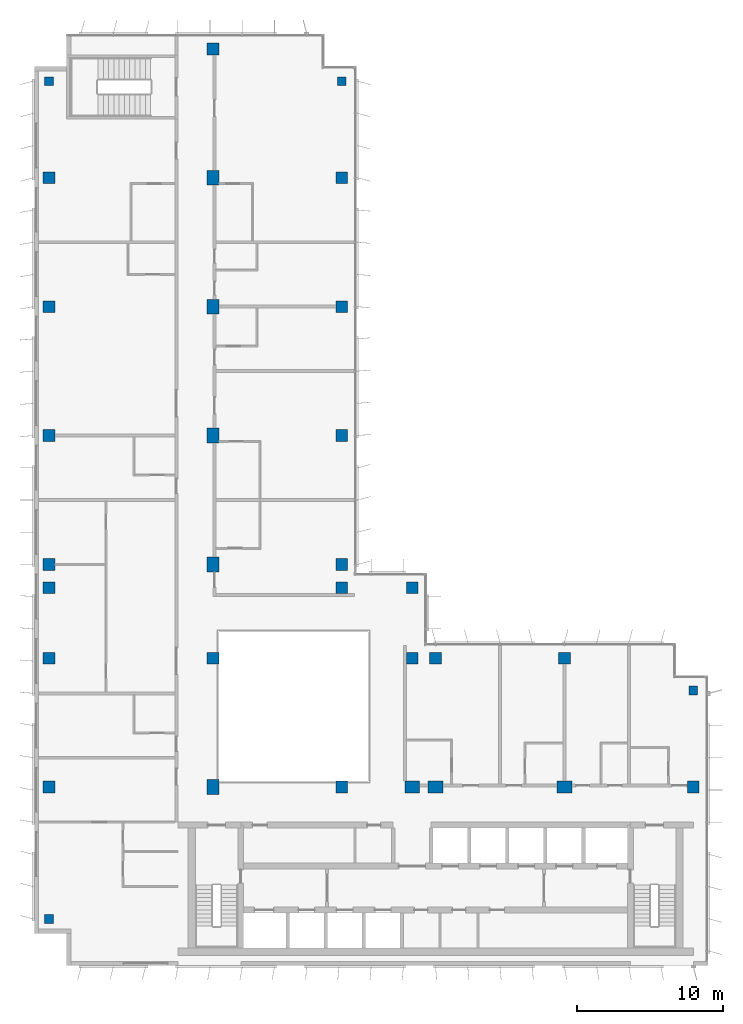
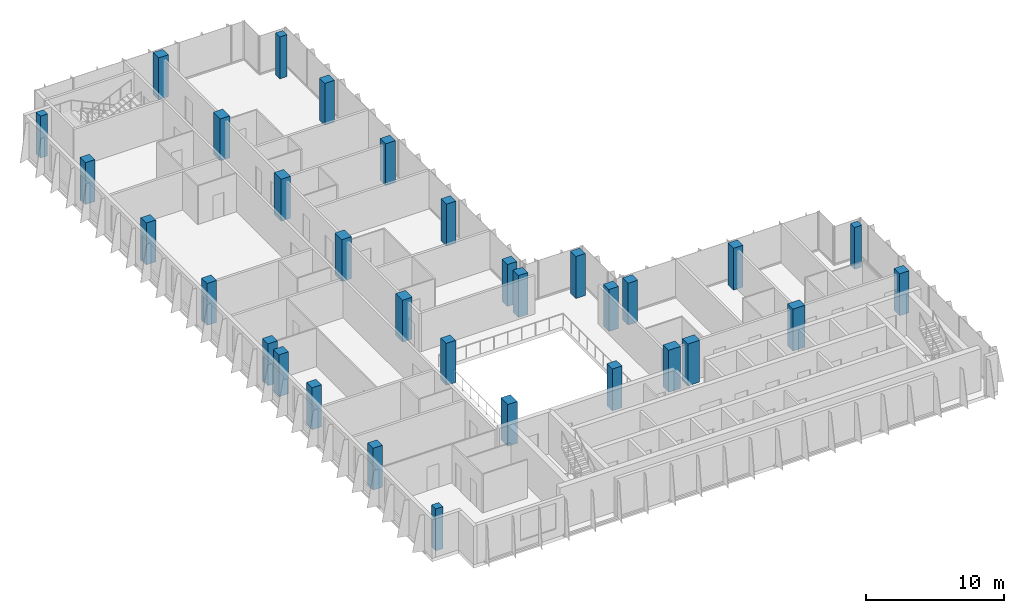
# One storey, part 1 of 15: 32 columns.
"""IFC4 building model written with IfcOpenShell, lengths in metres."""

from ifc_helpers import new_model, si_unit, direction, frame, origin, origin_2d, place, context, subcontext, project, spatial, rectangle, extrude, material, material_profile, profile_set, type_object, element, save


model = new_model("IFC4")

# Units and contexts
model_context = context("Model", 3, precision=1e-05, world=origin(), true_north=direction((0.0, 1.0)))
body_context = subcontext(model_context, "Body", "Model", "MODEL_VIEW")
ifc_project = project(units=[si_unit("LENGTHUNIT", "METRE"), si_unit("AREAUNIT", "SQUARE_METRE"), si_unit("VOLUMEUNIT", "CUBIC_METRE"), si_unit("PLANEANGLEUNIT", "RADIAN"), si_unit("MASSUNIT", "GRAM", prefix="KILO")], contexts=[model_context])

# Site, building, storey
site_placement = place(None, origin())
site = spatial("IfcSite", under=ifc_project, at=site_placement, CompositionType="ELEMENT")
building_placement = place(site_placement, origin())
building = spatial("IfcBuilding", under=site, at=building_placement, Name="Kemantara Hotel Tower", CompositionType="ELEMENT")
storey_placement = place(building_placement, frame((0.0, 0.0, 279.60009765625)))
storey = spatial("IfcBuildingStorey", under=building, at=storey_placement, Name="L70", CompositionType="ELEMENT", Elevation=279.60009765625)

# Columns
ifc_material = material(Name="Concrete fc 50 MPa", Category="concrete")
ifc_material_profile_1 = material_profile(ifc_material, rectangle(XDim=1.0, YDim=0.800048828125, at=origin_2d()), Name="RC 1000X800")
ifc_profile_set_1 = profile_set([ifc_material_profile_1], Name="Concrete fc 50 MPa")
column_type_1 = type_object("IfcColumnType", Name="RC COLUMN 1000X800 FC50", PredefinedType="COLUMN", material=ifc_profile_set_1)
for number, where, z_axis, x_axis, name in (
    (1, (12.199951171875, 12.199951171875, 0.0), (0.0, 0.0, 1.0), (0.0, 1.0, 0.0), "COLUMN 2A/BA L70"),
    (2, (12.199951171875, 27.39990234375, 0.0), (0.0, 0.0, 1.0), (0.0, 1.0, 0.0), "COLUMN 2A/D L70"),
    (3, (12.199951171875, 36.199951171875, 0.0), (0.0, 0.0, 1.0), (0.0, 1.0, 0.0), "COLUMN 2A/E L70"),
    (4, (12.199951171875, 45.0, 0.0), (0.0, 0.0, 1.0), (0.0, 1.0, 0.0), "COLUMN 2A/F L70"),
    (5, (12.199951171875, 53.800048828125, 0.0), (0.0, 0.0, 1.0), (0.0, 1.0, 0.0), "COLUMN 2A/G L70"),
    (6, (25.800048828125, 12.199951171875, 0.0), (0.0, 0.0, 1.0), (1.0, 0.0, 0.0), "COLUMN 3A/BA L70"),
    (7, (27.39990234375, 12.199951171875, 0.0), (0.0, 0.0, 1.0), (1.0, 0.0, 0.0), "COLUMN 4/BA L70"),
    (8, (36.199951171875, 12.199951171875, 0.0), (0.0, 0.0, 1.0), (1.0, 0.0, 0.0), "COLUMN 5/BA L70"),
):
    element("IfcColumn", number, at=place(storey_placement, frame(where, z_axis=z_axis, x_axis=x_axis)), inside=storey, type_object=column_type_1, Name=name, PredefinedType="COLUMN", context=body_context, shape_type="SweptSolid", body=[
        extrude(rectangle(XDim=1.0, YDim=0.800048828125, at=origin_2d()), origin(), (0.0, 0.0, 1.0), 3.699951171875),
    ])
ifc_material_profile_2 = material_profile(ifc_material, rectangle(XDim=0.60009765625, YDim=0.60009765625, at=origin_2d()), Name="RC 600X600")
ifc_profile_set_2 = profile_set([ifc_material_profile_2], Name="Concrete fc 50 MPa")
column_type_2 = type_object("IfcColumnType", Name="RC COLUMN 600X600 FC50", PredefinedType="COLUMN", material=ifc_profile_set_2)
for number, where, z_axis, x_axis, name in (
    (9, (1.0, 3.199951171875, 0.0), (0.0, 0.0, 1.0), (1.0, 0.0, 0.0), "COLUMN notch corner L70"),
    (10, (1.0, 60.39990234375, 0.0), (0.0, 0.0, 1.0), (1.0, 0.0, 0.0), "COLUMN notch corner L70"),
    (11, (21.0, 60.39990234375, 0.0), (0.0, 0.0, 1.0), (1.0, 0.0, 0.0), "COLUMN notch corner L70"),
    (12, (45.0, 18.800048828125, 0.0), (0.0, 0.0, 1.0), (1.0, 0.0, 0.0), "COLUMN notch corner L70"),
):
    element("IfcColumn", number, at=place(storey_placement, frame(where, z_axis=z_axis, x_axis=x_axis)), inside=storey, type_object=column_type_2, Name=name, PredefinedType="COLUMN", context=body_context, shape_type="SweptSolid", body=[
        extrude(rectangle(XDim=0.60009765625, YDim=0.60009765625, at=origin_2d()), origin(), (0.0, 0.0, 1.0), 3.699951171875),
    ])
ifc_material_profile_3 = material_profile(ifc_material, rectangle(XDim=0.800048828125, YDim=0.800048828125, at=origin_2d()), Name="RC 800X800")
ifc_profile_set_3 = profile_set([ifc_material_profile_3], Name="Concrete fc 50 MPa")
column_type_3 = type_object("IfcColumnType", Name="RC COLUMN 800X800 FC50", PredefinedType="COLUMN", material=ifc_profile_set_3)
for number, where, z_axis, x_axis, name in (
    (13, (1.0, 12.199951171875, 0.0), (0.0, 0.0, 1.0), (1.0, 0.0, 0.0), "COLUMN 1/BA L70"),
    (14, (1.0, 21.0, 0.0), (0.0, 0.0, 1.0), (1.0, 0.0, 0.0), "COLUMN 1/C L70"),
    (15, (1.0, 25.800048828125, 0.0), (0.0, 0.0, 1.0), (1.0, 0.0, 0.0), "COLUMN 1/CA L70"),
    (16, (1.0, 27.39990234375, 0.0), (0.0, 0.0, 1.0), (1.0, 0.0, 0.0), "COLUMN 1/D L70"),
    (17, (1.0, 36.199951171875, 0.0), (0.0, 0.0, 1.0), (1.0, 0.0, 0.0), "COLUMN 1/E L70"),
    (18, (1.0, 45.0, 0.0), (0.0, 0.0, 1.0), (1.0, 0.0, 0.0), "COLUMN 1/F L70"),
    (19, (1.0, 53.800048828125, 0.0), (0.0, 0.0, 1.0), (1.0, 0.0, 0.0), "COLUMN 1/G L70"),
    (20, (12.199951171875, 21.0, 0.0), (0.0, 0.0, 1.0), (1.0, 0.0, 0.0), "COLUMN 2A/C L70"),
    (21, (12.199951171875, 62.60009765625, 0.0), (0.0, 0.0, 1.0), (1.0, 0.0, 0.0), "COLUMN 2A/H L70"),
    (22, (21.0, 12.199951171875, 0.0), (0.0, 0.0, 1.0), (1.0, 0.0, 0.0), "COLUMN 3/BA L70"),
    (23, (21.0, 25.800048828125, 0.0), (0.0, 0.0, 1.0), (1.0, 0.0, 0.0), "COLUMN 3/CA L70"),
    (24, (21.0, 27.39990234375, 0.0), (0.0, 0.0, 1.0), (1.0, 0.0, 0.0), "COLUMN 3/D L70"),
    (25, (21.0, 36.199951171875, 0.0), (0.0, 0.0, 1.0), (1.0, 0.0, 0.0), "COLUMN 3/E L70"),
    (26, (21.0, 45.0, 0.0), (0.0, 0.0, 1.0), (1.0, 0.0, 0.0), "COLUMN 3/F L70"),
    (27, (21.0, 53.800048828125, 0.0), (0.0, 0.0, 1.0), (1.0, 0.0, 0.0), "COLUMN 3/G L70"),
    (28, (25.800048828125, 21.0, 0.0), (0.0, 0.0, 1.0), (1.0, 0.0, 0.0), "COLUMN 3A/C L70"),
    (29, (25.800048828125, 25.800048828125, 0.0), (0.0, 0.0, 1.0), (1.0, 0.0, 0.0), "COLUMN 3A/CA L70"),
    (30, (27.39990234375, 21.0, 0.0), (0.0, 0.0, 1.0), (1.0, 0.0, 0.0), "COLUMN 4/C L70"),
    (31, (36.199951171875, 21.0, 0.0), (0.0, 0.0, 1.0), (1.0, 0.0, 0.0), "COLUMN 5/C L70"),
    (32, (45.0, 12.199951171875, 0.0), (0.0, 0.0, 1.0), (1.0, 0.0, 0.0), "COLUMN 6/BA L70"),
):
    element("IfcColumn", number, at=place(storey_placement, frame(where, z_axis=z_axis, x_axis=x_axis)), inside=storey, type_object=column_type_3, Name=name, PredefinedType="COLUMN", context=body_context, shape_type="SweptSolid", body=[
        extrude(rectangle(XDim=0.800048828125, YDim=0.800048828125, at=origin_2d()), origin(), (0.0, 0.0, 1.0), 3.699951171875),
    ])

save(model, "model.ifc")
